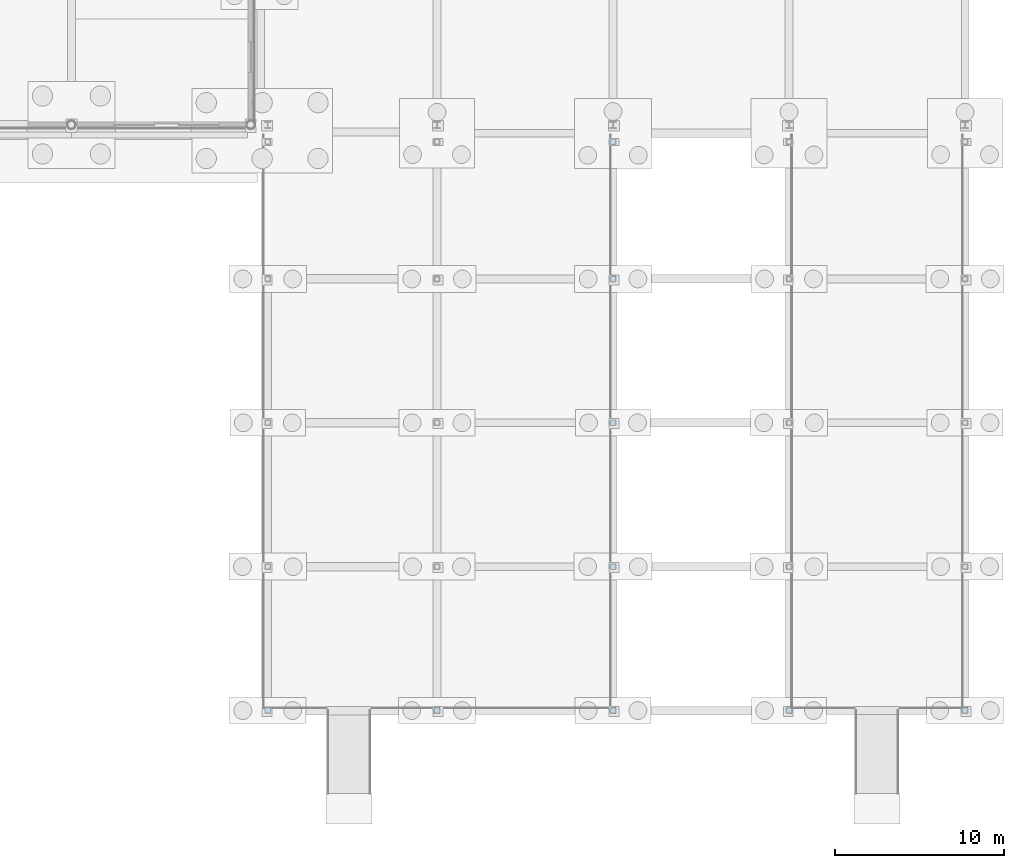
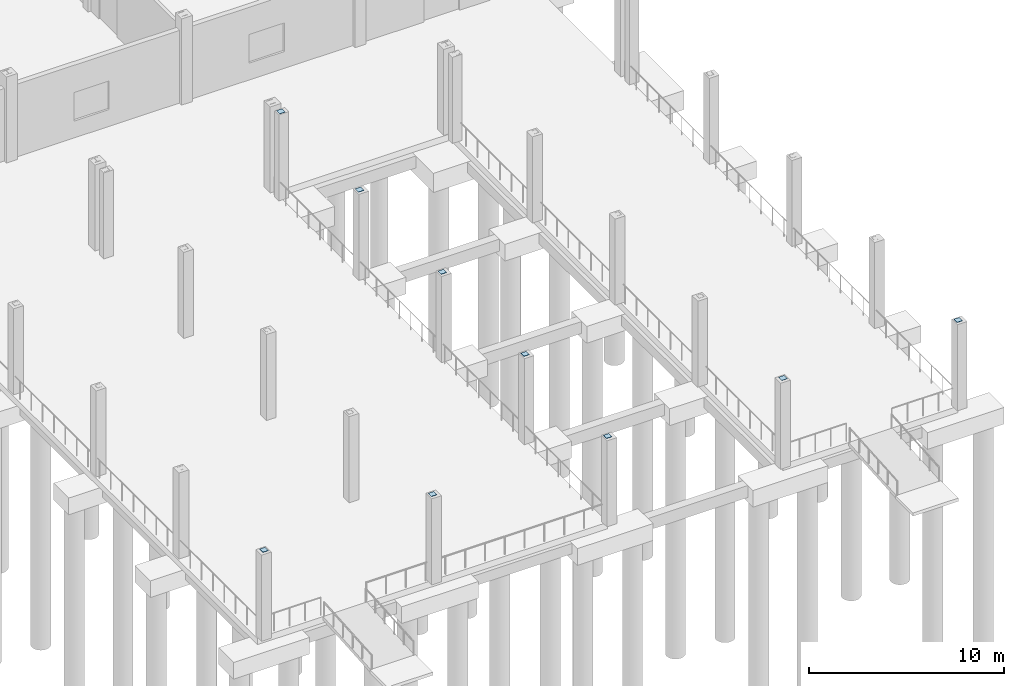
# One storey, part 44 of 83: 9 plates.
"""IFC4 building model written with IfcOpenShell, lengths in metres."""

from ifc_helpers import new_model, si_unit, direction, frame, origin, origin_2d, place, context, subcontext, project, spatial, rectangle, extrude, material, layer, layer_set, type_object, element, save


model = new_model("IFC4")

# Units and contexts
model_context = context("Model", 3, precision=1e-05, world=origin(), true_north=direction((0.0, 1.0)))
body_context = subcontext(model_context, "Body", "Model", "MODEL_VIEW")
ifc_project = project(units=[si_unit("LENGTHUNIT", "METRE"), si_unit("AREAUNIT", "SQUARE_METRE"), si_unit("VOLUMEUNIT", "CUBIC_METRE"), si_unit("PLANEANGLEUNIT", "RADIAN"), si_unit("MASSUNIT", "GRAM", prefix="KILO")], contexts=[model_context])

# Site, building, storey
site_placement = place(None, origin())
site = spatial("IfcSite", under=ifc_project, at=site_placement, CompositionType="ELEMENT")
building_placement = place(site_placement, origin())
building = spatial("IfcBuilding", under=site, at=building_placement, Name="Caurita Quay Ferry Terminal", CompositionType="ELEMENT")
storey_placement = place(building_placement, origin())
storey = spatial("IfcBuildingStorey", under=building, at=storey_placement, Name="L00", CompositionType="ELEMENT", Elevation=0.0)

# Plates
ifc_material = material(Name="Structural plate steel ASTM A572 Gr. 50", Category="steel")
ifc_layer = layer(ifc_material, 0.01806640625, Name="Structural steel connection plate 18 mm")
ifc_layer_set = layer_set([ifc_layer], Name="Structural plate steel ASTM A572 Gr. 50")
plate_type = type_object("IfcPlateType", Name="PLT-STL-18", PredefinedType="USERDEFINED", material=ifc_layer_set)
for number, where, z_axis, x_axis, name in (
    (1, (132.800048828125, 0.0, 5.39892578125), (0.0, 0.0, 1.0), (1.0, 0.0, 0.0), "L00 Hollow Column End-Cap Plate V3-BP-15-A"),
    (2, (142.800048828125, 0.0, 5.39892578125), (0.0, 0.0, 1.0), (1.0, 0.0, 0.0), "L00 Hollow Column End-Cap Plate V3-BP-16-A"),
    (3, (153.199951171875, 0.0, 5.39892578125), (0.0, 0.0, 1.0), (1.0, 0.0, 0.0), "L00 Hollow Column End-Cap Plate V3-BP-17-A"),
    (4, (153.199951171875, 8.5, 5.39892578125), (0.0, 0.0, 1.0), (1.0, 0.0, 0.0), "L00 Hollow Column End-Cap Plate V3-BP-17-B"),
    (5, (153.199951171875, 17.0, 5.39892578125), (0.0, 0.0, 1.0), (1.0, 0.0, 0.0), "L00 Hollow Column End-Cap Plate V3-BP-17-C"),
    (6, (153.199951171875, 25.5, 5.39892578125), (0.0, 0.0, 1.0), (1.0, 0.0, 0.0), "L00 Hollow Column End-Cap Plate V3-BP-17-D"),
    (7, (153.199951171875, 33.60009765625, 5.39892578125), (0.0, 0.0, 1.0), (1.0, 0.0, 0.0), "L00 Hollow Column End-Cap Plate V3-BP-17-E"),
    (8, (163.60009765625, 0.0, 5.39892578125), (0.0, 0.0, 1.0), (1.0, 0.0, 0.0), "L00 Hollow Column End-Cap Plate V3-BP-18-A"),
    (9, (174.0, 0.0, 5.39892578125), (0.0, 0.0, 1.0), (1.0, 0.0, 0.0), "L00 Hollow Column End-Cap Plate V3-BP-19-A"),
):
    element("IfcPlate", number, at=place(storey_placement, frame(where, z_axis=z_axis, x_axis=x_axis)), inside=storey, type_object=plate_type, Name=name, ObjectType="GUSSET PLATE", PredefinedType="USERDEFINED", context=body_context, shape_type="SweptSolid", body=[
        extrude(rectangle(XDim=0.328857421875, YDim=0.328857421875, at=origin_2d()), origin(), (0.0, 0.0, 1.0), 0.01806640625),
    ])

save(model, "model.ifc")
